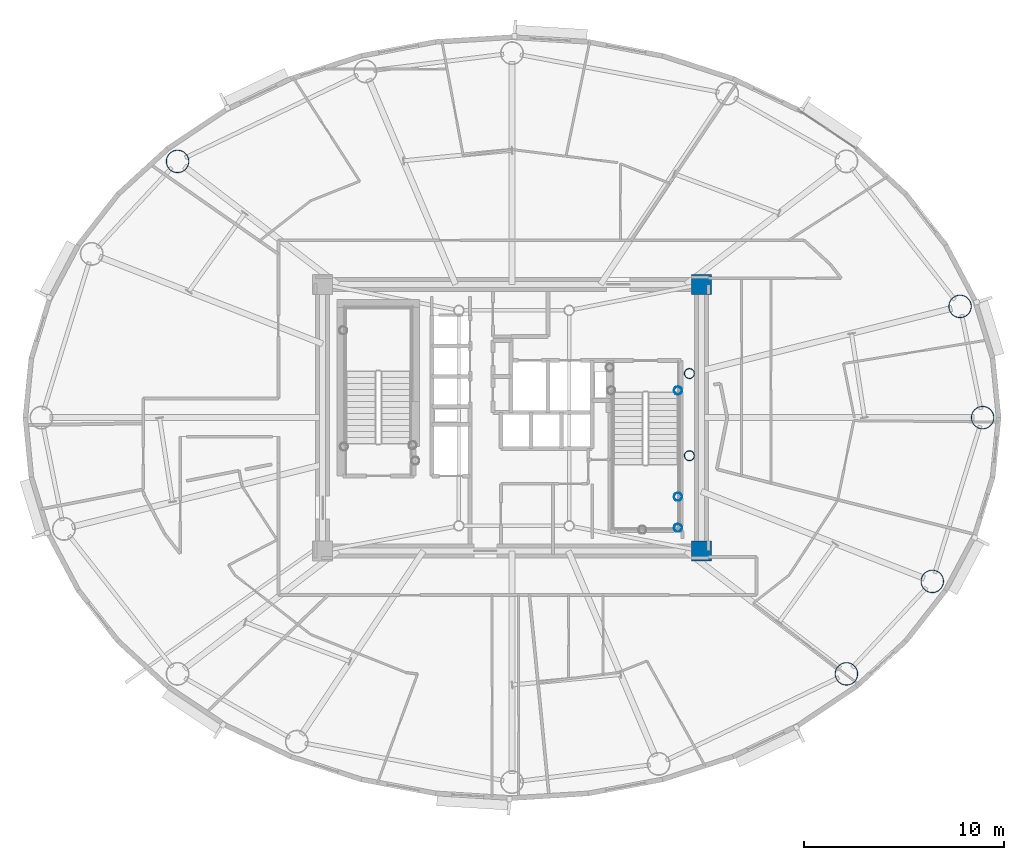
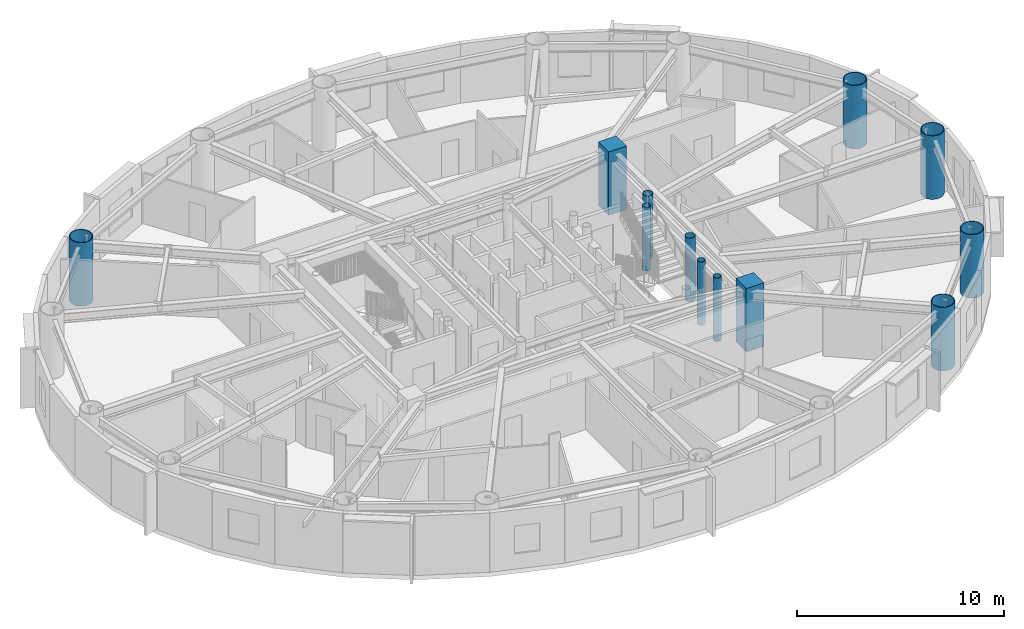
# One storey, part 2 of 21: 12 columns.
"""IFC4 building model written with IfcOpenShell, lengths in metres."""

from ifc_helpers import new_model, si_unit, direction, frame, origin, origin_2d, place, context, subcontext, project, spatial, rectangle, hollow_circle, extrude, material, material_profile, profile_set, type_object, element, save


model = new_model("IFC4")

# Units and contexts
model_context = context("Model", 3, precision=1e-05, world=origin(), true_north=direction((0.0, 1.0)))
body_context = subcontext(model_context, "Body", "Model", "MODEL_VIEW")
ifc_project = project(units=[si_unit("LENGTHUNIT", "METRE"), si_unit("AREAUNIT", "SQUARE_METRE"), si_unit("VOLUMEUNIT", "CUBIC_METRE"), si_unit("PLANEANGLEUNIT", "RADIAN"), si_unit("MASSUNIT", "GRAM", prefix="KILO")], contexts=[model_context])

# Site, building, storey
site_placement = place(None, origin())
site = spatial("IfcSite", under=ifc_project, at=site_placement, CompositionType="ELEMENT")
building_placement = place(site_placement, origin())
building = spatial("IfcBuilding", under=site, at=building_placement, Name="Linh Dai School and Residence Tower", CompositionType="ELEMENT")
storey_placement = place(building_placement, frame((0.0, 0.0, 251.550048828125)))
storey = spatial("IfcBuildingStorey", under=building, at=storey_placement, Name="L62", CompositionType="ELEMENT", Elevation=251.550048828125)

# Columns
ifc_material_1 = material(Name="Concrete B45 (C35/45)", Category="concrete")
ifc_material_profile_1 = material_profile(ifc_material_1, rectangle(XDim=1.0, YDim=1.0, at=origin_2d()), Name="RC 1000x1000")
ifc_profile_set_1 = profile_set([ifc_material_profile_1], Name="Concrete B45 (C35/45)")
column_type_1 = type_object("IfcColumnType", Name="COL-CC3", PredefinedType="COLUMN", material=ifc_profile_set_1)
for number, where, z_axis, x_axis, name in (
    (1, (45.449951171875, 20.35009765625, 0.0), (0.0, 0.0, 1.0), (1.0, 0.0, 0.0), "L62 Core Corner Pier CC2"),
    (2, (45.449951171875, 33.64990234375, 0.0), (0.0, 0.0, 1.0), (1.0, 0.0, 0.0), "L62 Core Corner Pier CC3"),
):
    element("IfcColumn", number, at=place(storey_placement, frame(where, z_axis=z_axis, x_axis=x_axis)), inside=storey, type_object=column_type_1, Name=name, PredefinedType="COLUMN", context=body_context, shape_type="SweptSolid", body=[
        extrude(rectangle(XDim=1.0, YDim=1.0, at=origin_2d()), origin(), (0.0, 0.0, 1.0), 3.75),
    ])
ifc_material_2 = material(Name="Structural Steel S355JR", Category="steel")
ifc_material_profile_2 = material_profile(ifc_material_2, hollow_circle(Radius=0.203125, WallThickness=0.01611328125, at=origin_2d()), Name="CHS 406.4x16")
ifc_profile_set_2 = profile_set([ifc_material_profile_2], Name="Structural Steel S355JR")
column_type_2 = type_object("IfcColumnType", Name="COL-EC", PredefinedType="COLUMN", material=ifc_profile_set_2)
for number, where, z_axis, x_axis, name in (
    (3, (44.280029296875, 21.5, 0.0), (0.0, 0.0, 1.0), (1.0, 0.0, 0.0), "L62 Stair Shaft Landing Support Pier ST2SE"),
    (4, (44.280029296875, 23.050048828125, 0.0), (0.0, 0.0, 1.0), (1.0, 0.0, 0.0), "L62 Stair Shaft Landing Support Pier ST2NE"),
    (5, (44.280029296875, 28.35009765625, 0.0), (0.0, 0.0, 1.0), (1.0, 0.0, 0.0), "L62 Stair Shaft Landing Support Pier ST2N2"),
):
    element("IfcColumn", number, at=place(storey_placement, frame(where, z_axis=z_axis, x_axis=x_axis)), inside=storey, type_object=column_type_2, Name=name, PredefinedType="COLUMN", context=body_context, shape_type="SweptSolid", body=[
        extrude(hollow_circle(Radius=0.203125, WallThickness=0.01611328125, at=origin_2d()), origin(), (0.0, 0.0, 1.0), 3.75),
    ])
ifc_material_profile_3 = material_profile(ifc_material_2, hollow_circle(Radius=0.574951171875, WallThickness=0.035888671875, at=origin_2d()), Name="CHS 1150x36")
ifc_profile_set_3 = profile_set([ifc_material_profile_3], Name="Structural Steel S355JR")
column_type_3 = type_object("IfcColumnType", Name="COL-MC5", PredefinedType="COLUMN", material=ifc_profile_set_3)
for number, where, z_axis, x_axis, name in (
    (6, (59.47509765625, 27.0, 0.0), (0.0, 0.0, 1.0), (1.0, 0.0, 0.0), "L62 Perimeter CFT Mega-Column MC01"),
    (7, (58.351318359375, 32.54931640625, 0.0), (0.0, 0.0, 1.0), (1.0, 0.0, 0.0), "L62 Perimeter CFT Mega-Column MC02"),
    (8, (19.31689453125, 39.781005859375, 0.0), (0.0, 0.0, 1.0), (1.0, 0.0, 0.0), "L62 Perimeter CFT Mega-Column MC07"),
    (9, (52.68310546875, 14.218994140625, 0.0), (0.0, 0.0, 1.0), (1.0, 0.0, 0.0), "L62 Perimeter CFT Mega-Column MC15"),
    (10, (56.96533203125, 18.8310546875, 0.0), (0.0, 0.0, 1.0), (1.0, 0.0, 0.0), "L62 Perimeter CFT Mega-Column MC16"),
):
    element("IfcColumn", number, at=place(storey_placement, frame(where, z_axis=z_axis, x_axis=x_axis)), inside=storey, type_object=column_type_3, Name=name, PredefinedType="COLUMN", context=body_context, shape_type="SweptSolid", body=[
        extrude(hollow_circle(Radius=0.574951171875, WallThickness=0.035888671875, at=origin_2d()), origin(), (0.0, 0.0, 1.0), 3.75),
    ])
ifc_material_profile_4 = material_profile(ifc_material_2, hollow_circle(Radius=0.25390625, WallThickness=0.02001953125, at=origin_2d()), Name="CHS 508x20")
ifc_profile_set_4 = profile_set([ifc_material_profile_4], Name="Structural Steel S355JR")
column_type_4 = type_object("IfcColumnType", Name="COL-MCP", PredefinedType="COLUMN", material=ifc_profile_set_4)
for number, where, z_axis, x_axis, name in (
    (11, (44.85009765625, 25.10009765625, 0.0), (0.0, 0.0, 1.0), (1.0, 0.0, 0.0), "L62 Sky-Lounge Core Anchor Pier S"),
    (12, (44.85009765625, 29.199951171875, 0.0), (0.0, 0.0, 1.0), (1.0, 0.0, 0.0), "L62 Sky-Lounge Core Anchor Pier N"),
):
    element("IfcColumn", number, at=place(storey_placement, frame(where, z_axis=z_axis, x_axis=x_axis)), inside=storey, type_object=column_type_4, Name=name, PredefinedType="COLUMN", context=body_context, shape_type="SweptSolid", body=[
        extrude(hollow_circle(Radius=0.25390625, WallThickness=0.02001953125, at=origin_2d()), origin(), (0.0, 0.0, 1.0), 3.75),
    ])

save(model, "model.ifc")
